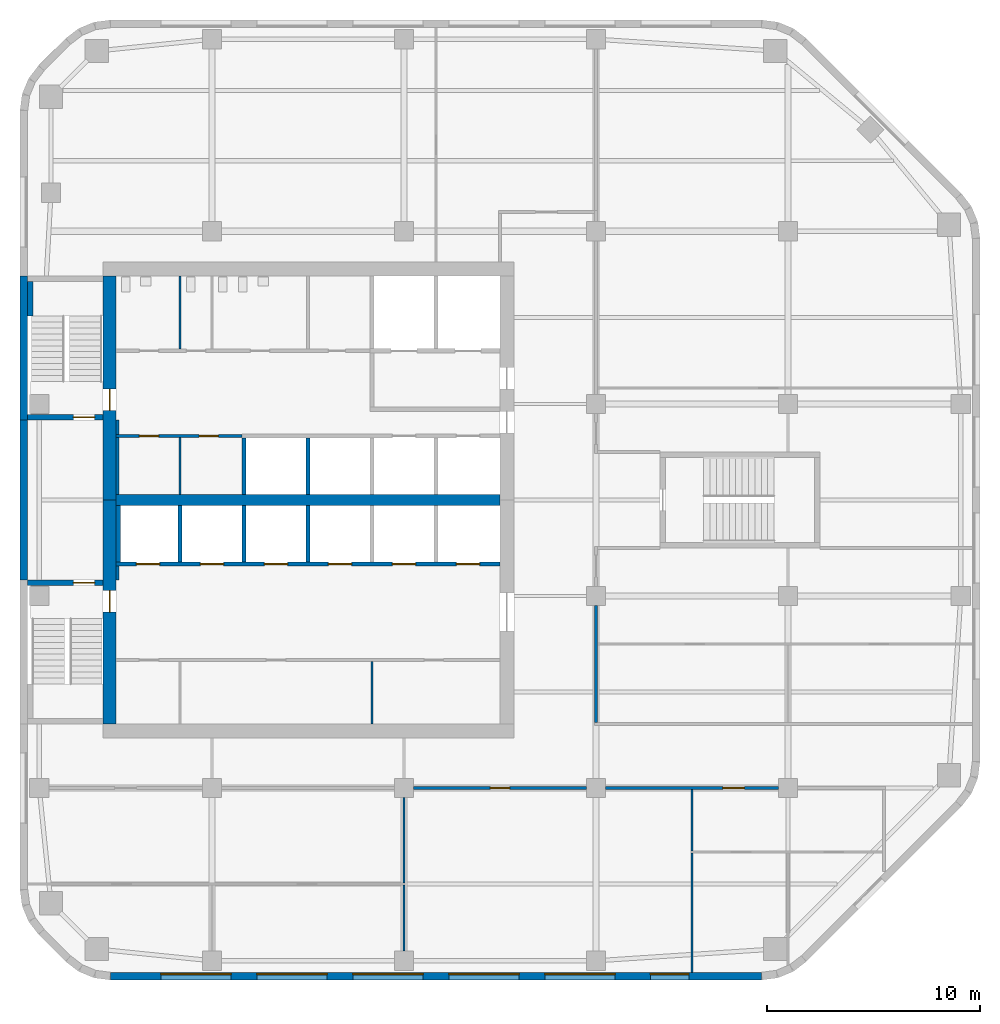
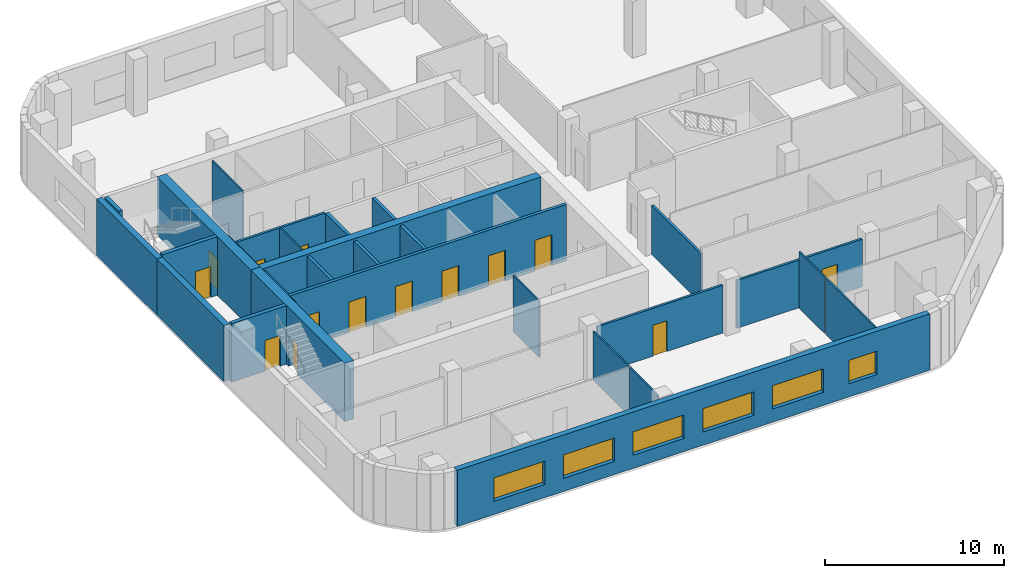
# One storey, part 3 of 7: 30 walls, 14 doors, 6 windows, 20 openings.
"""IFC4 building model written with IfcOpenShell, lengths in metres."""

from ifc_helpers import new_model, si_unit, direction, frame, frame_2d, origin, place, context, subcontext, project, spatial, rectangle, extrude, material, layer, layer_set, type_object, element, fill, save


model = new_model("IFC4")

# Units and contexts
model_context = context("Model", 3, precision=1e-05, world=origin(), true_north=direction((0.0, 1.0)))
body_context = subcontext(model_context, "Body", "Model", "MODEL_VIEW")
ifc_project = project(units=[si_unit("LENGTHUNIT", "METRE"), si_unit("AREAUNIT", "SQUARE_METRE"), si_unit("VOLUMEUNIT", "CUBIC_METRE"), si_unit("PLANEANGLEUNIT", "RADIAN"), si_unit("MASSUNIT", "GRAM", prefix="KILO")], contexts=[model_context])

# Site, building, storey
site_placement = place(None, origin())
site = spatial("IfcSite", under=ifc_project, at=site_placement, CompositionType="ELEMENT")
building_placement = place(site_placement, origin())
building = spatial("IfcBuilding", under=site, at=building_placement, Name="Cinnabar Reach Civic Tower", CompositionType="ELEMENT")
storey_placement = place(building_placement, frame((0.0, 0.0, 173.0)))
storey = spatial("IfcBuildingStorey", under=building, at=storey_placement, Name="L41", CompositionType="ELEMENT", Elevation=173.0)

# Wall, openings, windows
ifc_material_1 = material(Name="Facing brick with insulated backing", Category="masonry")
ifc_layer_1 = layer(ifc_material_1, 0.36)
ifc_layer_set_1 = layer_set([ifc_layer_1], Name="Brick pier and spandrel wall")
wall_type_1 = type_object("IfcWallType", Name="Brick pier and spandrel wall", PredefinedType="STANDARD", material=ifc_layer_set_1)
wall_1_placement = place(storey_placement, frame((4.2426, 9.18, 0.0), z_axis=(0.0, 0.0, 1.0), x_axis=(1.0, 0.0, 0.0)))
wall_1 = element("IfcWall", 1, at=wall_1_placement, inside=storey, type_object=wall_type_1, Name="Brick facade wall", PredefinedType="STANDARD", context=body_context, shape_type="SweptSolid", body=[
    extrude(rectangle(XDim=30.5148, YDim=0.36, at=frame_2d((15.2574, 0.0))), origin(), (0.0, 0.0, 1.0), 3.85),
])
opening_1_placement = place(wall_1_placement, frame((2.3574, 0.0, 0.9)))
opening_1 = element("IfcOpeningElement", 2, at=opening_1_placement, cuts=wall_1, Name="Opening W1841", PredefinedType="OPENING", context=body_context, shape_type="SweptSolid", body=[
    extrude(rectangle(XDim=3.3, YDim=1.6, at=frame_2d((1.65, 0.8))), frame((0.0, 0.19, 0.0), z_axis=(0.0, -1.0, 0.0), x_axis=(1.0, 0.0, 0.0)), (0.0, 0.0, 1.0), 0.38),
])
opening_2_placement = place(wall_1_placement, frame((6.8574, 0.0, 0.9)))
opening_2 = element("IfcOpeningElement", 3, at=opening_2_placement, cuts=wall_1, Name="Opening W1842", PredefinedType="OPENING", context=body_context, shape_type="SweptSolid", body=[
    extrude(rectangle(XDim=3.3, YDim=1.6, at=frame_2d((1.65, 0.8))), frame((0.0, 0.19, 0.0), z_axis=(0.0, -1.0, 0.0), x_axis=(1.0, 0.0, 0.0)), (0.0, 0.0, 1.0), 0.38),
])
opening_3_placement = place(wall_1_placement, frame((11.3574, 0.0, 0.9)))
opening_3 = element("IfcOpeningElement", 4, at=opening_3_placement, cuts=wall_1, Name="Opening W1843", PredefinedType="OPENING", context=body_context, shape_type="SweptSolid", body=[
    extrude(rectangle(XDim=3.3, YDim=1.6, at=frame_2d((1.65, 0.8))), frame((0.0, 0.19, 0.0), z_axis=(0.0, -1.0, 0.0), x_axis=(1.0, 0.0, 0.0)), (0.0, 0.0, 1.0), 0.38),
])
opening_4_placement = place(wall_1_placement, frame((15.8574, 0.0, 0.9)))
opening_4 = element("IfcOpeningElement", 5, at=opening_4_placement, cuts=wall_1, Name="Opening W1844", PredefinedType="OPENING", context=body_context, shape_type="SweptSolid", body=[
    extrude(rectangle(XDim=3.3, YDim=1.6, at=frame_2d((1.65, 0.8))), frame((0.0, 0.19, 0.0), z_axis=(0.0, -1.0, 0.0), x_axis=(1.0, 0.0, 0.0)), (0.0, 0.0, 1.0), 0.38),
])
opening_5_placement = place(wall_1_placement, frame((20.3574, 0.0, 0.9)))
opening_5 = element("IfcOpeningElement", 6, at=opening_5_placement, cuts=wall_1, Name="Opening W1845", PredefinedType="OPENING", context=body_context, shape_type="SweptSolid", body=[
    extrude(rectangle(XDim=3.3, YDim=1.6, at=frame_2d((1.65, 0.8))), frame((0.0, 0.19, 0.0), z_axis=(0.0, -1.0, 0.0), x_axis=(1.0, 0.0, 0.0)), (0.0, 0.0, 1.0), 0.38),
])
opening_6_placement = place(wall_1_placement, frame((25.3074, 0.0, 0.9)))
opening_6 = element("IfcOpeningElement", 7, at=opening_6_placement, cuts=wall_1, Name="Opening W1846", PredefinedType="OPENING", context=body_context, shape_type="SweptSolid", body=[
    extrude(rectangle(XDim=1.8, YDim=1.6, at=frame_2d((0.9, 0.8))), frame((0.0, 0.19, 0.0), z_axis=(0.0, -1.0, 0.0), x_axis=(1.0, 0.0, 0.0)), (0.0, 0.0, 1.0), 0.38),
])
ifc_material_2 = material(Name="Clear double glazing in aluminium frame", Category="aluminium")
window_type_1 = type_object("IfcWindowType", Name="Deep-set window A", PartitioningType="SINGLE_PANEL", PredefinedType="WINDOW", material=ifc_material_2)
window_1_placement = place(opening_1_placement, origin())
window_1 = element("IfcWindow", 8, at=window_1_placement, inside=storey, type_object=window_type_1, Name="Window south face", OverallHeight=1.6, OverallWidth=3.3, PartitioningType="SINGLE_PANEL", PredefinedType="WINDOW", context=body_context, shape_type="SweptSolid", body=[
    extrude(rectangle(XDim=3.3, YDim=1.6, at=frame_2d((1.65, 0.8))), frame((0.0, 0.13, 0.0), z_axis=(0.0, -1.0, 0.0), x_axis=(1.0, 0.0, 0.0)), (0.0, 0.0, 1.0), 0.06),
])
fill(opening_1, window_1)
window_2_placement = place(opening_2_placement, origin())
window_2 = element("IfcWindow", 9, at=window_2_placement, inside=storey, type_object=window_type_1, Name="Window south face", OverallHeight=1.6, OverallWidth=3.3, PartitioningType="SINGLE_PANEL", PredefinedType="WINDOW", context=body_context, shape_type="SweptSolid", body=[
    extrude(rectangle(XDim=3.3, YDim=1.6, at=frame_2d((1.65, 0.8))), frame((0.0, 0.13, 0.0), z_axis=(0.0, -1.0, 0.0), x_axis=(1.0, 0.0, 0.0)), (0.0, 0.0, 1.0), 0.06),
])
fill(opening_2, window_2)
window_3_placement = place(opening_3_placement, origin())
window_3 = element("IfcWindow", 10, at=window_3_placement, inside=storey, type_object=window_type_1, Name="Window south face", OverallHeight=1.6, OverallWidth=3.3, PartitioningType="SINGLE_PANEL", PredefinedType="WINDOW", context=body_context, shape_type="SweptSolid", body=[
    extrude(rectangle(XDim=3.3, YDim=1.6, at=frame_2d((1.65, 0.8))), frame((0.0, 0.13, 0.0), z_axis=(0.0, -1.0, 0.0), x_axis=(1.0, 0.0, 0.0)), (0.0, 0.0, 1.0), 0.06),
])
fill(opening_3, window_3)
window_4_placement = place(opening_4_placement, origin())
window_4 = element("IfcWindow", 11, at=window_4_placement, inside=storey, type_object=window_type_1, Name="Window south face", OverallHeight=1.6, OverallWidth=3.3, PartitioningType="SINGLE_PANEL", PredefinedType="WINDOW", context=body_context, shape_type="SweptSolid", body=[
    extrude(rectangle(XDim=3.3, YDim=1.6, at=frame_2d((1.65, 0.8))), frame((0.0, 0.13, 0.0), z_axis=(0.0, -1.0, 0.0), x_axis=(1.0, 0.0, 0.0)), (0.0, 0.0, 1.0), 0.06),
])
fill(opening_4, window_4)
window_5_placement = place(opening_5_placement, origin())
window_5 = element("IfcWindow", 12, at=window_5_placement, inside=storey, type_object=window_type_1, Name="Window south face", OverallHeight=1.6, OverallWidth=3.3, PartitioningType="SINGLE_PANEL", PredefinedType="WINDOW", context=body_context, shape_type="SweptSolid", body=[
    extrude(rectangle(XDim=3.3, YDim=1.6, at=frame_2d((1.65, 0.8))), frame((0.0, 0.13, 0.0), z_axis=(0.0, -1.0, 0.0), x_axis=(1.0, 0.0, 0.0)), (0.0, 0.0, 1.0), 0.06),
])
fill(opening_5, window_5)
window_type_2 = type_object("IfcWindowType", Name="Deep-set window D", PartitioningType="SINGLE_PANEL", PredefinedType="WINDOW", material=ifc_material_2)
window_6_placement = place(opening_6_placement, origin())
window_6 = element("IfcWindow", 13, at=window_6_placement, inside=storey, type_object=window_type_2, Name="Window south face", OverallHeight=1.6, OverallWidth=1.8, PartitioningType="SINGLE_PANEL", PredefinedType="WINDOW", context=body_context, shape_type="SweptSolid", body=[
    extrude(rectangle(XDim=1.8, YDim=1.6, at=frame_2d((0.9, 0.8))), frame((0.0, 0.13, 0.0), z_axis=(0.0, -1.0, 0.0), x_axis=(1.0, 0.0, 0.0)), (0.0, 0.0, 1.0), 0.06),
])
fill(opening_6, window_6)

# Walls
wall_2_placement = place(storey_placement, frame((0.18, 42.0, 0.0), z_axis=(0.0, 0.0, 1.0), x_axis=(0.0, -1.0, 0.0)))
element("IfcWall", 14, at=wall_2_placement, inside=storey, type_object=wall_type_1, Name="Brick facade wall", PredefinedType="STANDARD", context=body_context, shape_type="SweptSolid", body=[
    extrude(rectangle(XDim=6.75, YDim=0.36, at=frame_2d((3.375, 0.0))), origin(), (0.0, 0.0, 1.0), 3.85),
])
wall_3_placement = place(storey_placement, frame((0.18, 35.25, 0.0), z_axis=(0.0, 0.0, 1.0), x_axis=(0.0, -1.0, 0.0)))
element("IfcWall", 15, at=wall_3_placement, inside=storey, type_object=wall_type_1, Name="Brick facade wall", PredefinedType="STANDARD", context=body_context, shape_type="SweptSolid", body=[
    extrude(rectangle(XDim=7.5, YDim=0.36, at=frame_2d((3.75, 0.0))), origin(), (0.0, 0.0, 1.0), 3.85),
])
ifc_material_3 = material(Name="Concrete C60", Category="concrete")
ifc_layer_2 = layer(ifc_material_3, 0.5)
ifc_layer_set_2 = layer_set([ifc_layer_2], Name="Core wall 500 EI 180")
wall_type_2 = type_object("IfcWallType", Name="Core wall 500 EI 180", PredefinedType="SOLIDWALL", material=ifc_layer_set_2)
wall_4_placement = place(storey_placement, frame((4.5, 31.5, 0.0), z_axis=(0.0, 0.0, 1.0), x_axis=(1.0, 0.0, 0.0)))
element("IfcWall", 16, at=wall_4_placement, inside=storey, type_object=wall_type_2, Name="Core spine wall T1 L41", PredefinedType="SOLIDWALL", context=body_context, shape_type="SweptSolid", body=[
    extrude(rectangle(XDim=18.0, YDim=0.5, at=frame_2d((9.0, 0.0))), origin(), (0.0, 0.0, 1.0), 4.0),
])

# Wall, opening, door
ifc_material_4 = material(Name="Concrete C70", Category="concrete")
ifc_layer_3 = layer(ifc_material_4, 0.6)
ifc_layer_set_3 = layer_set([ifc_layer_3], Name="Core wall 600 EI 180")
wall_type_3 = type_object("IfcWallType", Name="Core wall 600 EI 180", PredefinedType="SOLIDWALL", material=ifc_layer_set_3)
wall_5_placement = place(storey_placement, frame((4.2, 42.0, 0.0), z_axis=(0.0, 0.0, 1.0), x_axis=(0.0, -1.0, 0.0)))
wall_5 = element("IfcWall", 17, at=wall_5_placement, inside=storey, type_object=wall_type_3, Name="Core wall T1 L41 W", PredefinedType="SOLIDWALL", context=body_context, shape_type="SweptSolid", body=[
    extrude(rectangle(XDim=10.5, YDim=0.6, at=frame_2d((5.25, 0.0))), origin(), (0.0, 0.0, 1.0), 4.0),
])
opening_7_placement = place(wall_5_placement, frame((5.3, 0.0, 0.0)))
opening_7 = element("IfcOpeningElement", 18, at=opening_7_placement, cuts=wall_5, Name="Opening D4669", PredefinedType="OPENING", context=body_context, shape_type="SweptSolid", body=[
    extrude(rectangle(XDim=1.0, YDim=2.1, at=frame_2d((0.5, 1.05))), frame((0.0, 0.31, 0.0), z_axis=(0.0, -1.0, 0.0), x_axis=(1.0, 0.0, 0.0)), (0.0, 0.0, 1.0), 0.62),
])
ifc_material_5 = material(Name="Timber door leaf in steel frame", Category="steel")
door_type_1 = type_object("IfcDoorType", Name="Stair door 1000 x 2100 T1", OperationType="SINGLE_SWING_LEFT", PredefinedType="DOOR", material=ifc_material_5)
door_1_placement = place(opening_7_placement, frame((1.0, 0.0, 0.0), z_axis=(0.0, 0.0, 1.0), x_axis=(-1.0, 0.0, 0.0)))
door_1 = element("IfcDoor", 19, at=door_1_placement, inside=storey, type_object=door_type_1, Name="Door D4669", OperationType="SINGLE_SWING_LEFT", OverallHeight=2.1, OverallWidth=1.0, PredefinedType="DOOR", context=body_context, shape_type="SweptSolid", body=[
    extrude(rectangle(XDim=1.0, YDim=2.1, at=frame_2d((0.5, 1.05))), frame((0.0, 0.025, 0.0), z_axis=(0.0, -1.0, 0.0), x_axis=(1.0, 0.0, 0.0)), (0.0, 0.0, 1.0), 0.05),
])
fill(opening_7, door_1)

wall_6_placement = place(storey_placement, frame((4.2, 31.5, 0.0), z_axis=(0.0, 0.0, 1.0), x_axis=(0.0, -1.0, 0.0)))
wall_6 = element("IfcWall", 20, at=wall_6_placement, inside=storey, type_object=wall_type_3, Name="Core wall T1 L41 W2", PredefinedType="SOLIDWALL", context=body_context, shape_type="SweptSolid", body=[
    extrude(rectangle(XDim=10.5, YDim=0.6, at=frame_2d((5.25, 0.0))), origin(), (0.0, 0.0, 1.0), 4.0),
])
opening_8_placement = place(wall_6_placement, frame((4.25, 0.0, 0.0)))
opening_8 = element("IfcOpeningElement", 21, at=opening_8_placement, cuts=wall_6, Name="Opening D4667", PredefinedType="OPENING", context=body_context, shape_type="SweptSolid", body=[
    extrude(rectangle(XDim=1.0, YDim=2.1, at=frame_2d((0.5, 1.05))), frame((0.0, 0.31, 0.0), z_axis=(0.0, -1.0, 0.0), x_axis=(1.0, 0.0, 0.0)), (0.0, 0.0, 1.0), 0.62),
])
door_2_placement = place(opening_8_placement, frame((1.0, 0.0, 0.0), z_axis=(0.0, 0.0, 1.0), x_axis=(-1.0, 0.0, 0.0)))
door_2 = element("IfcDoor", 22, at=door_2_placement, inside=storey, type_object=door_type_1, Name="Door D4667", OperationType="SINGLE_SWING_RIGHT", OverallHeight=2.1, OverallWidth=1.0, PredefinedType="DOOR", context=body_context, shape_type="SweptSolid", body=[
    extrude(rectangle(XDim=1.0, YDim=2.1, at=frame_2d((0.5, 1.05))), frame((0.0, 0.025, 0.0), z_axis=(0.0, -1.0, 0.0), x_axis=(1.0, 0.0, 0.0)), (0.0, 0.0, 1.0), 0.05),
])
fill(opening_8, door_2)

ifc_material_6 = material(Name="Gypsum board on steel studs, double layer", Category="steel")
ifc_layer_4 = layer(ifc_material_6, 0.15)
ifc_layer_set_4 = layer_set([ifc_layer_4], Name="Corridor wall 150 T1")
wall_type_4 = type_object("IfcWallType", Name="Corridor wall 150 T1", PredefinedType="PARTITIONING", material=ifc_layer_set_4)
wall_7_placement = place(storey_placement, frame((18.45, 18.0, 0.0), z_axis=(0.0, 0.0, 1.0), x_axis=(1.0, 0.0, 0.0)))
wall_7 = element("IfcWall", 23, at=wall_7_placement, inside=storey, type_object=wall_type_4, Name="Corridor wall 20", PredefinedType="PARTITIONING", context=body_context, shape_type="SweptSolid", body=[
    extrude(rectangle(XDim=8.1, YDim=0.15, at=frame_2d((4.05, 0.0))), origin(), (0.0, 0.0, 1.0), 3.262),
])
opening_9_placement = place(wall_7_placement, frame((3.6, 0.0, 0.0)))
opening_9 = element("IfcOpeningElement", 24, at=opening_9_placement, cuts=wall_7, Name="Opening D4702", PredefinedType="OPENING", context=body_context, shape_type="SweptSolid", body=[
    extrude(rectangle(XDim=0.9, YDim=2.1, at=frame_2d((0.45, 1.05))), frame((0.0, 0.085, 0.0), z_axis=(0.0, -1.0, 0.0), x_axis=(1.0, 0.0, 0.0)), (0.0, 0.0, 1.0), 0.17),
])
door_type_2 = type_object("IfcDoorType", Name="Single swing door 900 x 2100 corridor T1", OperationType="SINGLE_SWING_LEFT", PredefinedType="DOOR", material=ifc_material_5)
door_3_placement = place(opening_9_placement, frame((0.9, 0.0, 0.0), z_axis=(0.0, 0.0, 1.0), x_axis=(-1.0, 0.0, 0.0)))
door_3 = element("IfcDoor", 25, at=door_3_placement, inside=storey, type_object=door_type_2, Name="Door D4702", OperationType="SINGLE_SWING_RIGHT", OverallHeight=2.1, OverallWidth=0.9, PredefinedType="DOOR", context=body_context, shape_type="SweptSolid", body=[
    extrude(rectangle(XDim=0.9, YDim=2.1, at=frame_2d((0.45, 1.05))), frame((0.0, 0.025, 0.0), z_axis=(0.0, -1.0, 0.0), x_axis=(1.0, 0.0, 0.0)), (0.0, 0.0, 1.0), 0.05),
])
fill(opening_9, door_3)

wall_8_placement = place(storey_placement, frame((27.45, 18.0, 0.0), z_axis=(0.0, 0.0, 1.0), x_axis=(1.0, 0.0, 0.0)))
wall_8 = element("IfcWall", 26, at=wall_8_placement, inside=storey, type_object=wall_type_4, Name="Corridor wall 21", PredefinedType="PARTITIONING", context=body_context, shape_type="SweptSolid", body=[
    extrude(rectangle(XDim=8.1, YDim=0.15, at=frame_2d((4.05, 0.0))), origin(), (0.0, 0.0, 1.0), 3.262),
])
opening_10_placement = place(wall_8_placement, frame((5.5, 0.0, 0.0)))
opening_10 = element("IfcOpeningElement", 27, at=opening_10_placement, cuts=wall_8, Name="Opening D4703", PredefinedType="OPENING", context=body_context, shape_type="SweptSolid", body=[
    extrude(rectangle(XDim=1.0, YDim=2.1, at=frame_2d((0.5, 1.05))), frame((0.0, 0.085, 0.0), z_axis=(0.0, -1.0, 0.0), x_axis=(1.0, 0.0, 0.0)), (0.0, 0.0, 1.0), 0.17),
])
door_type_3 = type_object("IfcDoorType", Name="Tenancy entrance door 1000 x 2100 T1", OperationType="SINGLE_SWING_LEFT", PredefinedType="DOOR", material=ifc_material_5)
door_4_placement = place(opening_10_placement, frame((1.0, 0.0, 0.0), z_axis=(0.0, 0.0, 1.0), x_axis=(-1.0, 0.0, 0.0)))
door_4 = element("IfcDoor", 28, at=door_4_placement, inside=storey, type_object=door_type_3, Name="Door D4703", OperationType="SINGLE_SWING_LEFT", OverallHeight=2.1, OverallWidth=1.0, PredefinedType="DOOR", context=body_context, shape_type="SweptSolid", body=[
    extrude(rectangle(XDim=1.0, YDim=2.1, at=frame_2d((0.5, 1.05))), frame((0.0, 0.025, 0.0), z_axis=(0.0, -1.0, 0.0), x_axis=(1.0, 0.0, 0.0)), (0.0, 0.0, 1.0), 0.05),
])
fill(opening_10, door_4)

# Wall
wall_9_placement = place(storey_placement, frame((27.0, 21.075, 0.0), z_axis=(0.0, 0.0, 1.0), x_axis=(0.0, 1.0, 0.0)))
element("IfcWall", 29, at=wall_9_placement, inside=storey, type_object=wall_type_4, Name="Corridor wall 29", PredefinedType="PARTITIONING", context=body_context, shape_type="SweptSolid", body=[
    extrude(rectangle(XDim=5.475, YDim=0.15, at=frame_2d((2.7375, 0.0))), origin(), (0.0, 0.0, 1.0), 3.362),
])

# Wall, openings, doors
wall_10_placement = place(storey_placement, frame((4.5, 34.5, 0.0), z_axis=(0.0, 0.0, 1.0), x_axis=(1.0, 0.0, 0.0)))
wall_10 = element("IfcWall", 30, at=wall_10_placement, inside=storey, type_object=wall_type_4, Name="Corridor wall 31", PredefinedType="PARTITIONING", context=body_context, shape_type="SweptSolid", body=[
    extrude(rectangle(XDim=5.9, YDim=0.15, at=frame_2d((2.95, 0.0))), origin(), (0.0, 0.0, 1.0), 3.85),
])
opening_11_placement = place(wall_10_placement, frame((1.1, 0.0, 0.0)))
opening_11 = element("IfcOpeningElement", 31, at=opening_11_placement, cuts=wall_10, Name="Opening D4688", PredefinedType="OPENING", context=body_context, shape_type="SweptSolid", body=[
    extrude(rectangle(XDim=0.9, YDim=2.1, at=frame_2d((0.45, 1.05))), frame((0.0, 0.085, 0.0), z_axis=(0.0, -1.0, 0.0), x_axis=(1.0, 0.0, 0.0)), (0.0, 0.0, 1.0), 0.17),
])
opening_12_placement = place(wall_10_placement, frame((3.9, 0.0, 0.0)))
opening_12 = element("IfcOpeningElement", 32, at=opening_12_placement, cuts=wall_10, Name="Opening D4689", PredefinedType="OPENING", context=body_context, shape_type="SweptSolid", body=[
    extrude(rectangle(XDim=0.9, YDim=2.1, at=frame_2d((0.45, 1.05))), frame((0.0, 0.085, 0.0), z_axis=(0.0, -1.0, 0.0), x_axis=(1.0, 0.0, 0.0)), (0.0, 0.0, 1.0), 0.17),
])
door_5_placement = place(opening_11_placement, frame((0.9, 0.0, 0.0), z_axis=(0.0, 0.0, 1.0), x_axis=(-1.0, 0.0, 0.0)))
door_5 = element("IfcDoor", 33, at=door_5_placement, inside=storey, type_object=door_type_2, Name="Door D4688", OperationType="SINGLE_SWING_LEFT", OverallHeight=2.1, OverallWidth=0.9, PredefinedType="DOOR", context=body_context, shape_type="SweptSolid", body=[
    extrude(rectangle(XDim=0.9, YDim=2.1, at=frame_2d((0.45, 1.05))), frame((0.0, 0.025, 0.0), z_axis=(0.0, -1.0, 0.0), x_axis=(1.0, 0.0, 0.0)), (0.0, 0.0, 1.0), 0.05),
])
fill(opening_11, door_5)
door_6_placement = place(opening_12_placement, frame((0.9, 0.0, 0.0), z_axis=(0.0, 0.0, 1.0), x_axis=(-1.0, 0.0, 0.0)))
door_6 = element("IfcDoor", 34, at=door_6_placement, inside=storey, type_object=door_type_2, Name="Door D4689", OperationType="SINGLE_SWING_RIGHT", OverallHeight=2.1, OverallWidth=0.9, PredefinedType="DOOR", context=body_context, shape_type="SweptSolid", body=[
    extrude(rectangle(XDim=0.9, YDim=2.1, at=frame_2d((0.45, 1.05))), frame((0.0, 0.025, 0.0), z_axis=(0.0, -1.0, 0.0), x_axis=(1.0, 0.0, 0.0)), (0.0, 0.0, 1.0), 0.05),
])
fill(opening_12, door_6)

# Walls
wall_11_placement = place(storey_placement, frame((4.575, 34.575, 0.0), z_axis=(0.0, 0.0, 1.0), x_axis=(0.0, 1.0, 0.0)))
element("IfcWall", 35, at=wall_11_placement, inside=storey, type_object=wall_type_4, Name="Corridor wall 34", PredefinedType="PARTITIONING", context=body_context, shape_type="SweptSolid", body=[
    extrude(rectangle(XDim=0.675, YDim=0.15, at=frame_2d((0.3375, 0.0))), origin(), (0.0, 0.0, 1.0), 3.85),
])
wall_12_placement = place(storey_placement, frame((4.575, 31.75, 0.0), z_axis=(0.0, 0.0, 1.0), x_axis=(0.0, 1.0, 0.0)))
element("IfcWall", 36, at=wall_12_placement, inside=storey, type_object=wall_type_4, Name="Corridor wall 35", PredefinedType="PARTITIONING", context=body_context, shape_type="SweptSolid", body=[
    extrude(rectangle(XDim=2.675, YDim=0.15, at=frame_2d((1.3375, 0.0))), origin(), (0.0, 0.0, 1.0), 3.85),
])
wall_13_placement = place(storey_placement, frame((4.575, 27.75, 0.0), z_axis=(0.0, 0.0, 1.0), x_axis=(0.0, 1.0, 0.0)))
element("IfcWall", 37, at=wall_13_placement, inside=storey, type_object=wall_type_4, Name="Corridor wall 39", PredefinedType="PARTITIONING", context=body_context, shape_type="SweptSolid", body=[
    extrude(rectangle(XDim=0.65, YDim=0.15, at=frame_2d((0.325, 0.0))), origin(), (0.0, 0.0, 1.0), 3.85),
])

# Wall, openings, doors
ifc_material_7 = material(Name="Blockwork", Category="masonry")
ifc_layer_5 = layer(ifc_material_7, 0.2)
ifc_layer_set_5 = layer_set([ifc_layer_5], Name="Lift shaft wall 200 T1")
wall_type_5 = type_object("IfcWallType", Name="Lift shaft wall 200 T1", PredefinedType="PARTITIONING", material=ifc_layer_set_5)
wall_14_placement = place(storey_placement, frame((4.5, 28.5, 0.0), z_axis=(0.0, 0.0, 1.0), x_axis=(1.0, 0.0, 0.0)))
wall_14 = element("IfcWall", 38, at=wall_14_placement, inside=storey, type_object=wall_type_5, Name="Lift shaft wall 4", PredefinedType="PARTITIONING", context=body_context, shape_type="SweptSolid", body=[
    extrude(rectangle(XDim=18.0, YDim=0.2, at=frame_2d((9.0, 0.0))), origin(), (0.0, 0.0, 1.0), 3.85),
])
opening_13_placement = place(wall_14_placement, frame((0.95, 0.0, 0.0)))
opening_13 = element("IfcOpeningElement", 39, at=opening_13_placement, cuts=wall_14, Name="Opening D4671", PredefinedType="OPENING", context=body_context, shape_type="SweptSolid", body=[
    extrude(rectangle(XDim=1.1, YDim=2.1, at=frame_2d((0.55, 1.05))), frame((0.0, 0.11, 0.0), z_axis=(0.0, -1.0, 0.0), x_axis=(1.0, 0.0, 0.0)), (0.0, 0.0, 1.0), 0.22),
])
opening_14_placement = place(wall_14_placement, frame((3.95, 0.0, 0.0)))
opening_14 = element("IfcOpeningElement", 40, at=opening_14_placement, cuts=wall_14, Name="Opening D4672", PredefinedType="OPENING", context=body_context, shape_type="SweptSolid", body=[
    extrude(rectangle(XDim=1.1, YDim=2.1, at=frame_2d((0.55, 1.05))), frame((0.0, 0.11, 0.0), z_axis=(0.0, -1.0, 0.0), x_axis=(1.0, 0.0, 0.0)), (0.0, 0.0, 1.0), 0.22),
])
opening_15_placement = place(wall_14_placement, frame((6.95, 0.0, 0.0)))
opening_15 = element("IfcOpeningElement", 41, at=opening_15_placement, cuts=wall_14, Name="Opening D4673", PredefinedType="OPENING", context=body_context, shape_type="SweptSolid", body=[
    extrude(rectangle(XDim=1.1, YDim=2.1, at=frame_2d((0.55, 1.05))), frame((0.0, 0.11, 0.0), z_axis=(0.0, -1.0, 0.0), x_axis=(1.0, 0.0, 0.0)), (0.0, 0.0, 1.0), 0.22),
])
opening_16_placement = place(wall_14_placement, frame((9.95, 0.0, 0.0)))
opening_16 = element("IfcOpeningElement", 42, at=opening_16_placement, cuts=wall_14, Name="Opening D4674", PredefinedType="OPENING", context=body_context, shape_type="SweptSolid", body=[
    extrude(rectangle(XDim=1.1, YDim=2.1, at=frame_2d((0.55, 1.05))), frame((0.0, 0.11, 0.0), z_axis=(0.0, -1.0, 0.0), x_axis=(1.0, 0.0, 0.0)), (0.0, 0.0, 1.0), 0.22),
])
opening_17_placement = place(wall_14_placement, frame((12.95, 0.0, 0.0)))
opening_17 = element("IfcOpeningElement", 43, at=opening_17_placement, cuts=wall_14, Name="Opening D4675", PredefinedType="OPENING", context=body_context, shape_type="SweptSolid", body=[
    extrude(rectangle(XDim=1.1, YDim=2.1, at=frame_2d((0.55, 1.05))), frame((0.0, 0.11, 0.0), z_axis=(0.0, -1.0, 0.0), x_axis=(1.0, 0.0, 0.0)), (0.0, 0.0, 1.0), 0.22),
])
opening_18_placement = place(wall_14_placement, frame((15.95, 0.0, 0.0)))
opening_18 = element("IfcOpeningElement", 44, at=opening_18_placement, cuts=wall_14, Name="Opening D4676", PredefinedType="OPENING", context=body_context, shape_type="SweptSolid", body=[
    extrude(rectangle(XDim=1.1, YDim=2.1, at=frame_2d((0.55, 1.05))), frame((0.0, 0.11, 0.0), z_axis=(0.0, -1.0, 0.0), x_axis=(1.0, 0.0, 0.0)), (0.0, 0.0, 1.0), 0.22),
])
ifc_material_8 = material(Name="Stainless steel sliding door", Category="steel")
door_type_4 = type_object("IfcDoorType", Name="Lift landing door 1100 x 2100 T1", OperationType="SLIDING_TO_LEFT", PredefinedType="DOOR", material=ifc_material_8)
door_7_placement = place(opening_13_placement, origin())
door_7 = element("IfcDoor", 45, at=door_7_placement, inside=storey, type_object=door_type_4, Name="Lift landing door HR1 L41", OperationType="SLIDING_TO_LEFT", OverallHeight=2.1, OverallWidth=1.1, PredefinedType="DOOR", context=body_context, shape_type="SweptSolid", body=[
    extrude(rectangle(XDim=1.1, YDim=2.1, at=frame_2d((0.55, 1.05))), frame((0.0, 0.025, 0.0), z_axis=(0.0, -1.0, 0.0), x_axis=(1.0, 0.0, 0.0)), (0.0, 0.0, 1.0), 0.05),
])
fill(opening_13, door_7)
door_8_placement = place(opening_14_placement, origin())
door_8 = element("IfcDoor", 46, at=door_8_placement, inside=storey, type_object=door_type_4, Name="Lift landing door HR2 L41", OperationType="SLIDING_TO_LEFT", OverallHeight=2.1, OverallWidth=1.1, PredefinedType="DOOR", context=body_context, shape_type="SweptSolid", body=[
    extrude(rectangle(XDim=1.1, YDim=2.1, at=frame_2d((0.55, 1.05))), frame((0.0, 0.025, 0.0), z_axis=(0.0, -1.0, 0.0), x_axis=(1.0, 0.0, 0.0)), (0.0, 0.0, 1.0), 0.05),
])
fill(opening_14, door_8)
door_9_placement = place(opening_15_placement, origin())
door_9 = element("IfcDoor", 47, at=door_9_placement, inside=storey, type_object=door_type_4, Name="Lift landing door HR3 L41", OperationType="SLIDING_TO_LEFT", OverallHeight=2.1, OverallWidth=1.1, PredefinedType="DOOR", context=body_context, shape_type="SweptSolid", body=[
    extrude(rectangle(XDim=1.1, YDim=2.1, at=frame_2d((0.55, 1.05))), frame((0.0, 0.025, 0.0), z_axis=(0.0, -1.0, 0.0), x_axis=(1.0, 0.0, 0.0)), (0.0, 0.0, 1.0), 0.05),
])
fill(opening_15, door_9)
door_10_placement = place(opening_16_placement, origin())
door_10 = element("IfcDoor", 48, at=door_10_placement, inside=storey, type_object=door_type_4, Name="Lift landing door HR4 L41", OperationType="SLIDING_TO_LEFT", OverallHeight=2.1, OverallWidth=1.1, PredefinedType="DOOR", context=body_context, shape_type="SweptSolid", body=[
    extrude(rectangle(XDim=1.1, YDim=2.1, at=frame_2d((0.55, 1.05))), frame((0.0, 0.025, 0.0), z_axis=(0.0, -1.0, 0.0), x_axis=(1.0, 0.0, 0.0)), (0.0, 0.0, 1.0), 0.05),
])
fill(opening_16, door_10)
door_11_placement = place(opening_17_placement, origin())
door_11 = element("IfcDoor", 49, at=door_11_placement, inside=storey, type_object=door_type_4, Name="Lift landing door HR5 L41", OperationType="SLIDING_TO_LEFT", OverallHeight=2.1, OverallWidth=1.1, PredefinedType="DOOR", context=body_context, shape_type="SweptSolid", body=[
    extrude(rectangle(XDim=1.1, YDim=2.1, at=frame_2d((0.55, 1.05))), frame((0.0, 0.025, 0.0), z_axis=(0.0, -1.0, 0.0), x_axis=(1.0, 0.0, 0.0)), (0.0, 0.0, 1.0), 0.05),
])
fill(opening_17, door_11)
door_12_placement = place(opening_18_placement, origin())
door_12 = element("IfcDoor", 50, at=door_12_placement, inside=storey, type_object=door_type_4, Name="Lift landing door HR6 L41", OperationType="SLIDING_TO_LEFT", OverallHeight=2.1, OverallWidth=1.1, PredefinedType="DOOR", context=body_context, shape_type="SweptSolid", body=[
    extrude(rectangle(XDim=1.1, YDim=2.1, at=frame_2d((0.55, 1.05))), frame((0.0, 0.025, 0.0), z_axis=(0.0, -1.0, 0.0), x_axis=(1.0, 0.0, 0.0)), (0.0, 0.0, 1.0), 0.05),
])
fill(opening_18, door_12)

# Walls
for number, where, z_axis, x_axis, name in (
    (51, (10.5, 28.6, 0.0), (0.0, 0.0, 1.0), (0.0, 1.0, 0.0), "Lift shaft wall 6"),
    (52, (10.5, 31.75, 0.0), (0.0, 0.0, 1.0), (0.0, 1.0, 0.0), "Lift shaft wall 7"),
    (53, (13.5, 28.6, 0.0), (0.0, 0.0, 1.0), (0.0, 1.0, 0.0), "Lift shaft wall 8"),
    (54, (13.5, 31.75, 0.0), (0.0, 0.0, 1.0), (0.0, 1.0, 0.0), "Lift shaft wall 9"),
    (55, (4.6, 28.6, 0.0), (0.0, 0.0, 1.0), (0.0, 1.0, 0.0), "Lift shaft wall 16"),
    (56, (7.5, 28.6, 0.0), (0.0, 0.0, 1.0), (0.0, 1.0, 0.0), "Lift shaft wall 17"),
):
    element("IfcWall", number, at=place(storey_placement, frame(where, z_axis=z_axis, x_axis=x_axis)), inside=storey, type_object=wall_type_5, Name=name, PredefinedType="PARTITIONING", context=body_context, shape_type="SweptSolid", body=[
        extrude(rectangle(XDim=2.65, YDim=0.2, at=frame_2d((1.325, 0.0))), origin(), (0.0, 0.0, 1.0), 3.85),
    ])
ifc_material_9 = material(Name="Gypsum board on steel studs", Category="steel")
ifc_layer_6 = layer(ifc_material_9, 0.1)
ifc_layer_set_6 = layer_set([ifc_layer_6], Name="Partition wall 100 T1")
wall_type_6 = type_object("IfcWallType", Name="Partition wall 100 T1", PredefinedType="PARTITIONING", material=ifc_layer_set_6)
wall_15_placement = place(storey_placement, frame((18.0, 10.35, 0.0), z_axis=(0.0, 0.0, 1.0), x_axis=(0.0, 1.0, 0.0)))
element("IfcWall", 57, at=wall_15_placement, inside=storey, type_object=wall_type_6, Name="Partition wall 48", PredefinedType="PARTITIONING", context=body_context, shape_type="SweptSolid", body=[
    extrude(rectangle(XDim=3.1, YDim=0.1, at=frame_2d((1.55, 0.0))), origin(), (0.0, 0.0, 1.0), 3.362),
])
wall_16_placement = place(storey_placement, frame((18.0, 13.55, 0.0), z_axis=(0.0, 0.0, 1.0), x_axis=(0.0, 1.0, 0.0)))
element("IfcWall", 58, at=wall_16_placement, inside=storey, type_object=wall_type_6, Name="Partition wall 49", PredefinedType="PARTITIONING", context=body_context, shape_type="SweptSolid", body=[
    extrude(rectangle(XDim=4.0, YDim=0.1, at=frame_2d((2.0, 0.0))), origin(), (0.0, 0.0, 1.0), 3.362),
])
wall_17_placement = place(storey_placement, frame((31.5, 15.05, 0.0), z_axis=(0.0, 0.0, 1.0), x_axis=(0.0, 1.0, 0.0)))
element("IfcWall", 59, at=wall_17_placement, inside=storey, type_object=wall_type_6, Name="Partition wall 50", PredefinedType="PARTITIONING", context=body_context, shape_type="SweptSolid", body=[
    extrude(rectangle(XDim=2.875, YDim=0.1, at=frame_2d((1.4375, 0.0))), origin(), (0.0, 0.0, 1.0), 3.85),
])
wall_18_placement = place(storey_placement, frame((31.5, 9.36, 0.0), z_axis=(0.0, 0.0, 1.0), x_axis=(0.0, 1.0, 0.0)))
element("IfcWall", 60, at=wall_18_placement, inside=storey, type_object=wall_type_6, Name="Partition wall 51", PredefinedType="PARTITIONING", context=body_context, shape_type="SweptSolid", body=[
    extrude(rectangle(XDim=5.59, YDim=0.1, at=frame_2d((2.795, 0.0))), origin(), (0.0, 0.0, 1.0), 3.85),
])
wall_19_placement = place(storey_placement, frame((7.5, 38.575, 0.0), z_axis=(0.0, 0.0, 1.0), x_axis=(0.0, 1.0, 0.0)))
element("IfcWall", 61, at=wall_19_placement, inside=storey, type_object=wall_type_6, Name="Partition wall 55", PredefinedType="PARTITIONING", context=body_context, shape_type="SweptSolid", body=[
    extrude(rectangle(XDim=3.425, YDim=0.1, at=frame_2d((1.7125, 0.0))), origin(), (0.0, 0.0, 1.0), 3.85),
])
wall_20_placement = place(storey_placement, frame((7.5, 31.75, 0.0), z_axis=(0.0, 0.0, 1.0), x_axis=(0.0, 1.0, 0.0)))
element("IfcWall", 62, at=wall_20_placement, inside=storey, type_object=wall_type_6, Name="Partition wall 58", PredefinedType="PARTITIONING", context=body_context, shape_type="SweptSolid", body=[
    extrude(rectangle(XDim=2.675, YDim=0.1, at=frame_2d((1.3375, 0.0))), origin(), (0.0, 0.0, 1.0), 3.85),
])
wall_21_placement = place(storey_placement, frame((16.5, 21.0, 0.0), z_axis=(0.0, 0.0, 1.0), x_axis=(0.0, 1.0, 0.0)))
element("IfcWall", 63, at=wall_21_placement, inside=storey, type_object=wall_type_6, Name="Partition wall 59", PredefinedType="PARTITIONING", context=body_context, shape_type="SweptSolid", body=[
    extrude(rectangle(XDim=2.925, YDim=0.1, at=frame_2d((1.4625, 0.0))), origin(), (0.0, 0.0, 1.0), 3.85),
])

# Wall, opening, door
ifc_layer_7 = layer(ifc_material_3, 0.25)
ifc_layer_set_7 = layer_set([ifc_layer_7], Name="Stair shaft wall 250 EI 120")
wall_type_7 = type_object("IfcWallType", Name="Stair shaft wall 250 EI 120", PredefinedType="SOLIDWALL", material=ifc_layer_set_7)
wall_22_placement = place(storey_placement, frame((3.9, 27.625, 0.0), z_axis=(0.0, 0.0, 1.0), x_axis=(-1.0, 0.0, 0.0)))
wall_22 = element("IfcWall", 64, at=wall_22_placement, inside=storey, type_object=wall_type_7, Name="Stair shaft wall T1-S1 L41", PredefinedType="SOLIDWALL", context=body_context, shape_type="SweptSolid", body=[
    extrude(rectangle(XDim=3.54, YDim=0.25, at=frame_2d((1.77, 0.0))), origin(), (0.0, 0.0, 1.0), 4.0),
])
opening_19_placement = place(wall_22_placement, frame((0.4, 0.0, 0.0)))
opening_19 = element("IfcOpeningElement", 65, at=opening_19_placement, cuts=wall_22, Name="Opening D4668", PredefinedType="OPENING", context=body_context, shape_type="SweptSolid", body=[
    extrude(rectangle(XDim=1.0, YDim=2.1, at=frame_2d((0.5, 1.05))), frame((0.0, 0.135, 0.0), z_axis=(0.0, -1.0, 0.0), x_axis=(1.0, 0.0, 0.0)), (0.0, 0.0, 1.0), 0.27),
])
door_13_placement = place(opening_19_placement, origin())
door_13 = element("IfcDoor", 66, at=door_13_placement, inside=storey, type_object=door_type_1, Name="Door D4668", OperationType="SINGLE_SWING_LEFT", OverallHeight=2.1, OverallWidth=1.0, PredefinedType="DOOR", context=body_context, shape_type="SweptSolid", body=[
    extrude(rectangle(XDim=1.0, YDim=2.1, at=frame_2d((0.5, 1.05))), frame((0.0, 0.025, 0.0), z_axis=(0.0, -1.0, 0.0), x_axis=(1.0, 0.0, 0.0)), (0.0, 0.0, 1.0), 0.05),
])
fill(opening_19, door_13)

wall_23_placement = place(storey_placement, frame((0.36, 35.375, 0.0), z_axis=(0.0, 0.0, 1.0), x_axis=(1.0, 0.0, 0.0)))
wall_23 = element("IfcWall", 67, at=wall_23_placement, inside=storey, type_object=wall_type_7, Name="Stair shaft wall T1-S2 L41", PredefinedType="SOLIDWALL", context=body_context, shape_type="SweptSolid", body=[
    extrude(rectangle(XDim=3.54, YDim=0.25, at=frame_2d((1.77, 0.0))), origin(), (0.0, 0.0, 1.0), 4.0),
])
opening_20_placement = place(wall_23_placement, frame((2.14, 0.0, 0.0)))
opening_20 = element("IfcOpeningElement", 68, at=opening_20_placement, cuts=wall_23, Name="Opening D4670", PredefinedType="OPENING", context=body_context, shape_type="SweptSolid", body=[
    extrude(rectangle(XDim=1.0, YDim=2.1, at=frame_2d((0.5, 1.05))), frame((0.0, 0.135, 0.0), z_axis=(0.0, -1.0, 0.0), x_axis=(1.0, 0.0, 0.0)), (0.0, 0.0, 1.0), 0.27),
])
door_14_placement = place(opening_20_placement, origin())
door_14 = element("IfcDoor", 69, at=door_14_placement, inside=storey, type_object=door_type_1, Name="Door D4670", OperationType="SINGLE_SWING_RIGHT", OverallHeight=2.1, OverallWidth=1.0, PredefinedType="DOOR", context=body_context, shape_type="SweptSolid", body=[
    extrude(rectangle(XDim=1.0, YDim=2.1, at=frame_2d((0.5, 1.05))), frame((0.0, 0.025, 0.0), z_axis=(0.0, -1.0, 0.0), x_axis=(1.0, 0.0, 0.0)), (0.0, 0.0, 1.0), 0.05),
])
fill(opening_20, door_14)

# Wall
ifc_material_10 = material(Name="Concrete C40/50", Category="concrete")
ifc_layer_8 = layer(ifc_material_10, 0.24)
ifc_layer_set_8 = layer_set([ifc_layer_8], Name="T1 landing bearer wall 240")
wall_type_8 = type_object("IfcWallType", Name="T1 landing bearer wall 240", PredefinedType="STANDARD", material=ifc_layer_set_8)
wall_24_placement = place(storey_placement, frame((0.48, 40.13, 0.0), z_axis=(0.0, 0.0, 1.0), x_axis=(0.0, 1.0, 0.0)))
element("IfcWall", 70, at=wall_24_placement, inside=storey, type_object=wall_type_8, Name="T1-S2 landing bearer wall", PredefinedType="STANDARD", context=body_context, shape_type="SweptSolid", body=[
    extrude(rectangle(XDim=1.62, YDim=0.24, at=frame_2d((0.81, 0.0))), origin(), (0.0, 0.0, 1.0), 4.0),
])

save(model, "model.ifc")
